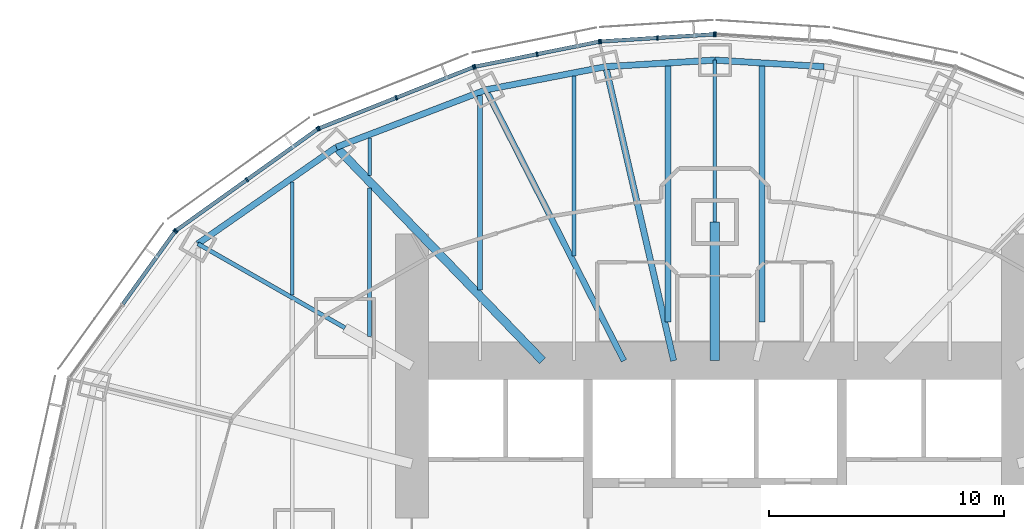
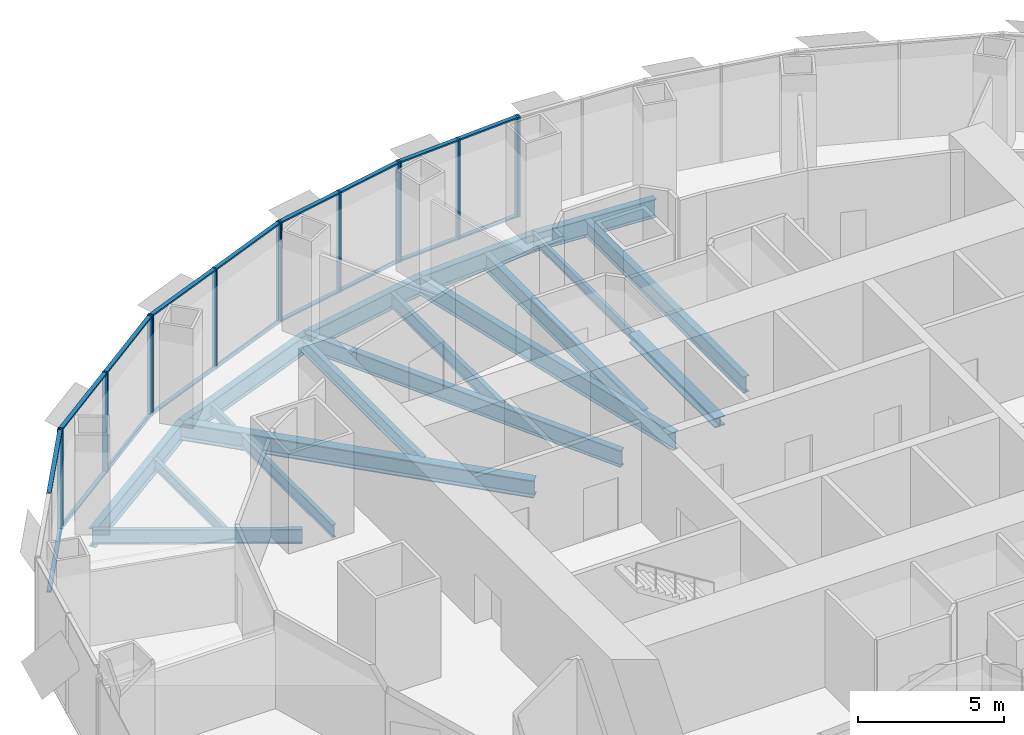
# One storey, part 7 of 18: 32 members, 18 beams, 6 elements without a shape of their own.
"""IFC4 building model written with IfcOpenShell, lengths in metres."""

from ifc_helpers import new_model, si_unit, direction, frame, origin, origin_2d, place, context, subcontext, project, spatial, rectangle, i_section, extrude, material, material_profile, profile_set, type_object, element, aggregate, save


model = new_model("IFC4")

# Units and contexts
model_context = context("Model", 3, precision=1e-05, world=origin(), true_north=direction((0.0, 1.0)))
body_context = subcontext(model_context, "Body", "Model", "MODEL_VIEW")
ifc_project = project(units=[si_unit("LENGTHUNIT", "METRE"), si_unit("AREAUNIT", "SQUARE_METRE"), si_unit("VOLUMEUNIT", "CUBIC_METRE"), si_unit("PLANEANGLEUNIT", "RADIAN"), si_unit("MASSUNIT", "GRAM", prefix="KILO")], contexts=[model_context])

# Site, building, storey
site_placement = place(None, origin())
site = spatial("IfcSite", under=ifc_project, at=site_placement, CompositionType="ELEMENT")
building_placement = place(site_placement, origin())
building = spatial("IfcBuilding", under=site, at=building_placement, Name="Lantaw Convention Tower", CompositionType="ELEMENT")
storey_placement = place(building_placement, frame((0.0, 0.0, 167.800048828125)))
storey = spatial("IfcBuildingStorey", under=building, at=storey_placement, Name="L39", CompositionType="ELEMENT", Elevation=167.800048828125)

# Beams
ifc_material_1 = material(Name="Steel ASTM A992", Category="steel")
ifc_material_profile_1 = material_profile(ifc_material_1, i_section(OverallWidth=0.2666015625, OverallDepth=0.76953125, WebThickness=0.015625, FlangeThickness=0.025390625, FilletRadius=0.0126953125, at=origin_2d()), Name="W30X132")
ifc_profile_set_1 = profile_set([ifc_material_profile_1], Name="Steel ASTM A992")
beam_type_1 = type_object("IfcBeamType", Name="Beam E W30X132", PredefinedType="SPANDREL", material=ifc_profile_set_1)
for number, where, z_axis, x_axis, name in (
    (1, (4.64501953125, 20.1201171875, -0.534912109375), (-0.998190892054, 0.06012439621, 0.0), (-0.06012439621, -0.998190892054, 0.0), "Edge beam 6"),
    (2, (0.0, 20.39990234375, -0.534912109375), (-0.998190892054, -0.06012439621, 0.0), (0.06012439621, -0.998190892054, 0.0), "Edge beam 7"),
):
    element("IfcBeam", number, at=place(storey_placement, frame(where, z_axis=z_axis, x_axis=x_axis)), inside=storey, type_object=beam_type_1, Name=name, PredefinedType="SPANDREL", context=body_context, shape_type="SweptSolid", body=[
        extrude(i_section(OverallWidth=0.2666015625, OverallDepth=0.76953125, WebThickness=0.015625, FlangeThickness=0.025390625, FilletRadius=0.0126953125, at=origin_2d()), origin(), (0.0, 0.0, 1.0), 4.6533203125),
    ])
beam_1_placement = place(storey_placement, frame((-4.64501953125, 20.1201171875, -0.534912109375), z_axis=(-0.981796805654, -0.189934284446, 0.0), x_axis=(0.189934284446, -0.981796805654, 0.0)))
element("IfcBeam", 3, at=beam_1_placement, inside=storey, type_object=beam_type_1, Name="Edge beam 8", PredefinedType="SPANDREL", context=body_context, shape_type="SweptSolid", body=[
    extrude(i_section(OverallWidth=0.2666015625, OverallDepth=0.76953125, WebThickness=0.015625, FlangeThickness=0.025390625, FilletRadius=0.0126953125, at=origin_2d()), origin(), (0.0, 0.0, 1.0), 5.1982421875),
])
beam_2_placement = place(storey_placement, frame((-9.74853515625, 19.1328125, -0.534912109375), z_axis=(-0.933691081977, -0.358079549033, 0.0), x_axis=(0.358079549033, -0.933691081977, 0.0)))
element("IfcBeam", 4, at=beam_2_placement, inside=storey, type_object=beam_type_1, Name="Edge beam 9", PredefinedType="SPANDREL", context=body_context, shape_type="SweptSolid", body=[
    extrude(i_section(OverallWidth=0.2666015625, OverallDepth=0.76953125, WebThickness=0.015625, FlangeThickness=0.025390625, FilletRadius=0.0126953125, at=origin_2d()), origin(), (0.0, 0.0, 1.0), 6.821533203125),
])
beam_3_placement = place(storey_placement, frame((-16.11767578125, 16.690185546875, -0.534912109375), z_axis=(-0.820310765287, -0.57191804339, 0.0), x_axis=(0.57191804339, -0.820310765287, 0.0)))
element("IfcBeam", 5, at=beam_3_placement, inside=storey, type_object=beam_type_1, Name="Edge beam 10", PredefinedType="SPANDREL", context=body_context, shape_type="SweptSolid", body=[
    extrude(i_section(OverallWidth=0.2666015625, OverallDepth=0.76953125, WebThickness=0.015625, FlangeThickness=0.025390625, FilletRadius=0.0126953125, at=origin_2d()), origin(), (0.0, 0.0, 1.0), 7.187744140625),
])
ifc_material_profile_2 = material_profile(ifc_material_1, i_section(OverallWidth=0.140380859375, OverallDepth=0.40380859375, WebThickness=0.007080078125, FlangeThickness=0.01123046875, FilletRadius=0.01025390625, at=origin_2d()), Name="W16X31")
ifc_profile_set_2 = profile_set([ifc_material_profile_2], Name="Steel ASTM A992")
beam_type_2 = type_object("IfcBeamType", Name="Beam G W16X31", PredefinedType="BEAM", material=ifc_profile_set_2)
beam_4_placement = place(storey_placement, frame((0.0, 13.5, -0.35205078125), z_axis=(0.0, 1.0, 0.0), x_axis=(-1.0, 0.0, 0.0)))
element("IfcBeam", 6, at=beam_4_placement, inside=storey, type_object=beam_type_2, Name="Floor girder on ray 7", PredefinedType="BEAM", context=body_context, shape_type="SweptSolid", body=[
    extrude(i_section(OverallWidth=0.140380859375, OverallDepth=0.40380859375, WebThickness=0.007080078125, FlangeThickness=0.01123046875, FilletRadius=0.01025390625, at=origin_2d()), origin(), (0.0, 0.0, 1.0), 6.89990234375),
])
ifc_material_profile_3 = material_profile(ifc_material_1, i_section(OverallWidth=0.177978515625, OverallDepth=0.599365234375, WebThickness=0.010009765625, FlangeThickness=0.012939453125, FilletRadius=0.012939453125, at=origin_2d()), Name="W24X55")
ifc_profile_set_3 = profile_set([ifc_material_profile_3], Name="Steel ASTM A992")
beam_type_3 = type_object("IfcBeamType", Name="Beam G W24X55", PredefinedType="BEAM", material=ifc_profile_set_3)
beam_5_placement = place(storey_placement, frame((-15.75, 9.0, -0.44970703125), z_axis=(-0.868245224608, 0.496135293993, 0.0), x_axis=(-0.496135293993, -0.868245224608, 0.0)))
element("IfcBeam", 7, at=beam_5_placement, inside=storey, type_object=beam_type_3, Name="Floor girder on ray 11", PredefinedType="BEAM", context=body_context, shape_type="SweptSolid", body=[
    extrude(i_section(OverallWidth=0.177978515625, OverallDepth=0.599365234375, WebThickness=0.010009765625, FlangeThickness=0.012939453125, FilletRadius=0.012939453125, at=origin_2d()), origin(), (0.0, 0.0, 1.0), 7.21435546875),
])
ifc_material_profile_4 = material_profile(ifc_material_1, i_section(OverallWidth=0.25390625, OverallDepth=0.700927734375, WebThickness=0.015380859375, FlangeThickness=0.02783203125, FilletRadius=0.01513671875, at=origin_2d()), Name="W27X129")
ifc_profile_set_4 = profile_set([ifc_material_profile_4], Name="Steel ASTM A992")
beam_type_4 = type_object("IfcBeamType", Name="Beam G W27X129", PredefinedType="BEAM", material=ifc_profile_set_4)
beam_6_placement = place(storey_placement, frame((-3.872314453125, 7.60009765625, -0.50048828125), z_axis=(-0.453991051051, 0.891006243281, 0.0), x_axis=(-0.891006243281, -0.453991051051, 0.0)))
element("IfcBeam", 8, at=beam_6_placement, inside=storey, type_object=beam_type_4, Name="Floor girder on ray 9", PredefinedType="BEAM", context=body_context, shape_type="SweptSolid", body=[
    extrude(i_section(OverallWidth=0.25390625, OverallDepth=0.700927734375, WebThickness=0.015380859375, FlangeThickness=0.02783203125, FilletRadius=0.01513671875, at=origin_2d()), origin(), (0.0, 0.0, 1.0), 12.943359375),
])
ifc_material_profile_5 = material_profile(ifc_material_1, i_section(OverallWidth=0.360595703125, OverallDepth=0.72900390625, WebThickness=0.023193359375, FlangeThickness=0.041015625, FilletRadius=0.0126953125, at=origin_2d()), Name="W27X235")
ifc_profile_set_5 = profile_set([ifc_material_profile_5], Name="Steel ASTM A992")
beam_type_5 = type_object("IfcBeamType", Name="Beam G W27X235", PredefinedType="BEAM", material=ifc_profile_set_5)
beam_7_placement = place(storey_placement, frame((-7.33935546875, 7.60009765625, -0.5146484375), z_axis=(-0.694663467407, 0.719334878239, 0.0), x_axis=(-0.719334878239, -0.694663467407, 0.0)))
element("IfcBeam", 9, at=beam_7_placement, inside=storey, type_object=beam_type_5, Name="Floor girder on ray 10", PredefinedType="BEAM", context=body_context, shape_type="SweptSolid", body=[
    extrude(i_section(OverallWidth=0.360595703125, OverallDepth=0.72900390625, WebThickness=0.023193359375, FlangeThickness=0.041015625, FilletRadius=0.0126953125, at=origin_2d()), origin(), (0.0, 0.0, 1.0), 12.63671875),
])
ifc_material_profile_6 = material_profile(ifc_material_1, i_section(OverallWidth=0.2666015625, OverallDepth=0.7568359375, WebThickness=0.013916015625, FlangeThickness=0.019287109375, FilletRadius=0.0126953125, at=origin_2d()), Name="W30X108")
ifc_profile_set_6 = profile_set([ifc_material_profile_6], Name="Steel ASTM A992")
beam_type_6 = type_object("IfcBeamType", Name="Beam G W30X108", PredefinedType="BEAM", material=ifc_profile_set_6)
beam_8_placement = place(storey_placement, frame((-1.754638671875, 7.60009765625, -0.528564453125), z_axis=(-0.224944153104, 0.974371658036, 0.0), x_axis=(-0.974371658036, -0.224944153104, 0.0)))
element("IfcBeam", 10, at=beam_8_placement, inside=storey, type_object=beam_type_6, Name="Floor girder on ray 8", PredefinedType="BEAM", context=body_context, shape_type="SweptSolid", body=[
    extrude(i_section(OverallWidth=0.2666015625, OverallDepth=0.7568359375, WebThickness=0.013916015625, FlangeThickness=0.019287109375, FilletRadius=0.0126953125, at=origin_2d()), origin(), (0.0, 0.0, 1.0), 12.849365234375),
])
ifc_material_profile_7 = material_profile(ifc_material_1, i_section(OverallWidth=0.40380859375, OverallDepth=0.406494140625, WebThickness=0.027099609375, FlangeThickness=0.043701171875, FilletRadius=0.01513671875, at=origin_2d()), Name="W14X233")
ifc_profile_set_7 = profile_set([ifc_material_profile_7], Name="Steel ASTM A992")
beam_type_7 = type_object("IfcBeamType", Name="Beam GM W14X233", PredefinedType="BEAM", material=ifc_profile_set_7)
beam_9_placement = place(storey_placement, frame((0.0, 7.60009765625, -0.353271484375), z_axis=(0.0, 1.0, 0.0), x_axis=(-1.0, 0.0, 0.0)))
element("IfcBeam", 11, at=beam_9_placement, inside=storey, type_object=beam_type_7, Name="Core link beam on ray 7", PredefinedType="BEAM", context=body_context, shape_type="SweptSolid", body=[
    extrude(i_section(OverallWidth=0.40380859375, OverallDepth=0.406494140625, WebThickness=0.027099609375, FlangeThickness=0.043701171875, FilletRadius=0.01513671875, at=origin_2d()), origin(), (0.0, 0.0, 1.0), 5.89990234375),
])
ifc_material_profile_8 = material_profile(ifc_material_1, i_section(OverallWidth=0.140380859375, OverallDepth=0.40380859375, WebThickness=0.007080078125, FlangeThickness=0.01123046875, FilletRadius=0.01025390625, at=origin_2d()), Name="W16X31")
ifc_profile_set_8 = profile_set([ifc_material_profile_8], Name="Steel ASTM A992")
beam_type_8 = type_object("IfcBeamType", Name="Beam J W16X31", PredefinedType="JOIST", material=ifc_profile_set_8)
beam_10_placement = place(storey_placement, frame((-14.699951171875, 15.48193359375, -0.35205078125), z_axis=(0.0, 1.0, 0.0), x_axis=(-1.0, 0.0, 0.0)))
element("IfcBeam", 12, at=beam_10_placement, inside=storey, type_object=beam_type_8, Name="Floor joist", PredefinedType="JOIST", context=body_context, shape_type="SweptSolid", body=[
    extrude(i_section(OverallWidth=0.140380859375, OverallDepth=0.40380859375, WebThickness=0.007080078125, FlangeThickness=0.01123046875, FilletRadius=0.01025390625, at=origin_2d()), origin(), (0.0, 0.0, 1.0), 1.609130859375),
])
ifc_material_profile_9 = material_profile(ifc_material_1, i_section(OverallWidth=0.15234375, OverallDepth=0.449462890625, WebThickness=0.007568359375, FlangeThickness=0.0107421875, FilletRadius=0.01025390625, at=origin_2d()), Name="W18X35")
ifc_profile_set_9 = profile_set([ifc_material_profile_9], Name="Steel ASTM A992")
beam_type_9 = type_object("IfcBeamType", Name="Beam J W18X35", PredefinedType="JOIST", material=ifc_profile_set_9)
beam_11_placement = place(storey_placement, frame((-18.0, 10.38818359375, -0.374755859375), z_axis=(0.0, 1.0, 0.0), x_axis=(-1.0, 0.0, 0.0)))
element("IfcBeam", 13, at=beam_11_placement, inside=storey, type_object=beam_type_9, Name="Floor joist", PredefinedType="JOIST", context=body_context, shape_type="SweptSolid", body=[
    extrude(i_section(OverallWidth=0.15234375, OverallDepth=0.449462890625, WebThickness=0.007568359375, FlangeThickness=0.0107421875, FilletRadius=0.01025390625, at=origin_2d()), origin(), (0.0, 0.0, 1.0), 4.8271484375),
])
ifc_material_profile_10 = material_profile(ifc_material_1, i_section(OverallWidth=0.1650390625, OverallDepth=0.52587890625, WebThickness=0.0087890625, FlangeThickness=0.011474609375, FilletRadius=0.0126953125, at=origin_2d()), Name="W21X44")
ifc_profile_set_10 = profile_set([ifc_material_profile_10], Name="Steel ASTM A992")
beam_type_10 = type_object("IfcBeamType", Name="Beam J W21X44", PredefinedType="JOIST", material=ifc_profile_set_10)
beam_12_placement = place(storey_placement, frame((-14.699951171875, 8.632568359375, -0.412841796875), z_axis=(0.0, 1.0, 0.0), x_axis=(-1.0, 0.0, 0.0)))
element("IfcBeam", 14, at=beam_12_placement, inside=storey, type_object=beam_type_10, Name="Floor joist", PredefinedType="JOIST", context=body_context, shape_type="SweptSolid", body=[
    extrude(i_section(OverallWidth=0.1650390625, OverallDepth=0.52587890625, WebThickness=0.0087890625, FlangeThickness=0.011474609375, FilletRadius=0.0126953125, at=origin_2d()), origin(), (0.0, 0.0, 1.0), 6.330078125),
])
ifc_material_profile_11 = material_profile(ifc_material_1, i_section(OverallWidth=0.2099609375, OverallDepth=0.535888671875, WebThickness=0.010986328125, FlangeThickness=0.017333984375, FilletRadius=0.012939453125, at=origin_2d()), Name="W21X68")
ifc_profile_set_11 = profile_set([ifc_material_profile_11], Name="Steel ASTM A992")
beam_type_11 = type_object("IfcBeamType", Name="Beam J W21X68", PredefinedType="JOIST", material=ifc_profile_set_11)
beam_13_placement = place(storey_placement, frame((-10.0, 10.614990234375, -0.41796875), z_axis=(0.0, 1.0, 0.0), x_axis=(-1.0, 0.0, 0.0)))
element("IfcBeam", 15, at=beam_13_placement, inside=storey, type_object=beam_type_11, Name="Floor joist", PredefinedType="JOIST", context=body_context, shape_type="SweptSolid", body=[
    extrude(i_section(OverallWidth=0.2099609375, OverallDepth=0.535888671875, WebThickness=0.010986328125, FlangeThickness=0.017333984375, FilletRadius=0.012939453125, at=origin_2d()), origin(), (0.0, 0.0, 1.0), 8.278564453125),
])
ifc_material_profile_12 = material_profile(ifc_material_1, i_section(OverallWidth=0.177978515625, OverallDepth=0.599365234375, WebThickness=0.010009765625, FlangeThickness=0.012939453125, FilletRadius=0.012939453125, at=origin_2d()), Name="W24X55")
ifc_profile_set_12 = profile_set([ifc_material_profile_12], Name="Steel ASTM A992")
beam_type_12 = type_object("IfcBeamType", Name="Beam J W24X55", PredefinedType="JOIST", material=ifc_profile_set_12)
beam_14_placement = place(storey_placement, frame((-6.0, 12.055419921875, -0.44970703125), z_axis=(0.0, 1.0, 0.0), x_axis=(-1.0, 0.0, 0.0)))
element("IfcBeam", 16, at=beam_14_placement, inside=storey, type_object=beam_type_12, Name="Floor joist", PredefinedType="JOIST", context=body_context, shape_type="SweptSolid", body=[
    extrude(i_section(OverallWidth=0.177978515625, OverallDepth=0.599365234375, WebThickness=0.010009765625, FlangeThickness=0.012939453125, FilletRadius=0.012939453125, at=origin_2d()), origin(), (0.0, 0.0, 1.0), 7.666748046875),
])
ifc_material_profile_13 = material_profile(ifc_material_1, i_section(OverallWidth=0.25390625, OverallDepth=0.683349609375, WebThickness=0.012451171875, FlangeThickness=0.01904296875, FilletRadius=0.01513671875, at=origin_2d()), Name="W27X94")
ifc_profile_set_13 = profile_set([ifc_material_profile_13], Name="Steel ASTM A992")
beam_type_13 = type_object("IfcBeamType", Name="Beam J W27X94", PredefinedType="JOIST", material=ifc_profile_set_13)
for number, where, z_axis, x_axis, name in (
    (17, (-2.0, 9.255859375, -0.49169921875), (0.0, 1.0, 0.0), (-1.0, 0.0, 0.0), "Floor joist"),
    (18, (2.0, 9.255859375, -0.49169921875), (0.0, 1.0, 0.0), (-1.0, 0.0, 0.0), "Floor joist"),
):
    element("IfcBeam", number, at=place(storey_placement, frame(where, z_axis=z_axis, x_axis=x_axis)), inside=storey, type_object=beam_type_13, Name=name, PredefinedType="JOIST", context=body_context, shape_type="SweptSolid", body=[
        extrude(i_section(OverallWidth=0.25390625, OverallDepth=0.683349609375, WebThickness=0.012451171875, FlangeThickness=0.01904296875, FilletRadius=0.01513671875, at=origin_2d()), origin(), (0.0, 0.0, 1.0), 10.889892578125),
    ])

# Curtain wall, member
ifc_material_2 = material(Name="Aluminium framed curtain wall", Category="aluminium")
curtain_wall_type = type_object("IfcCurtainWallType", Name="Office curtain wall low rise, pale aluminium", PredefinedType="USERDEFINED", material=ifc_material_2)
curtain_wall_1_placement = place(storey_placement, origin())
curtain_wall_1 = element("IfcCurtainWall", 19, at=curtain_wall_1_placement, inside=storey, type_object=curtain_wall_type, Name="Office curtain wall low rise, pale aluminium L39", ObjectType="UNITISED CURTAIN WALL", PredefinedType="USERDEFINED")
ifc_material_3 = material(Name="Aluminium 6063-T6", Category="aluminium")
ifc_material_profile_14 = material_profile(ifc_material_3, rectangle(XDim=0.199951171875, YDim=0.06494140625, at=origin_2d()), Name="CW-O1 mullion 65x200")
ifc_profile_set_14 = profile_set([ifc_material_profile_14], Name="Aluminium 6063-T6")
member_type_1 = type_object("IfcMemberType", Name="CW-O1 mullion 65x200", PredefinedType="MULLION", material=ifc_profile_set_14)
member_1_placement = place(storey_placement, frame((0.032470703125, 21.498046875, -0.150146484375), z_axis=(0.0, 0.0, 1.0), x_axis=(-0.062865059466, -0.998022035978, 0.0)))
member_1 = element("IfcMember", 20, at=member_1_placement, type_object=member_type_1, Name="CW-O1 mullion 3", PredefinedType="MULLION", context=body_context, shape_type="SweptSolid", body=[
    extrude(rectangle(XDim=0.199951171875, YDim=0.06494140625, at=origin_2d()), origin(), (0.0, 0.0, 1.0), 4.2001953125),
])
aggregate(curtain_wall_1, [member_1])

# Curtain wall, members
curtain_wall_2_placement = place(storey_placement, origin())
curtain_wall_2 = element("IfcCurtainWall", 21, at=curtain_wall_2_placement, inside=storey, type_object=curtain_wall_type, Name="Office curtain wall low rise, pale aluminium L39", ObjectType="UNITISED CURTAIN WALL", PredefinedType="USERDEFINED")
member_2_placement = place(storey_placement, frame((-0.032470703125, 21.498046875, -0.150146484375), z_axis=(0.0, 0.0, 1.0), x_axis=(0.062865059466, -0.998022035978, 0.0)))
member_2 = element("IfcMember", 22, at=member_2_placement, type_object=member_type_1, Name="CW-O1 mullion 1", PredefinedType="MULLION", context=body_context, shape_type="SweptSolid", body=[
    extrude(rectangle(XDim=0.199951171875, YDim=0.06494140625, at=origin_2d()), origin(), (0.0, 0.0, 1.0), 4.2001953125),
])
member_3_placement = place(storey_placement, frame((-2.4462890625, 21.345947265625, -0.150146484375), z_axis=(0.0, 0.0, 1.0), x_axis=(0.062865059466, -0.998022035978, 0.0)))
member_3 = element("IfcMember", 23, at=member_3_placement, type_object=member_type_1, Name="CW-O1 mullion 2", PredefinedType="MULLION", context=body_context, shape_type="SweptSolid", body=[
    extrude(rectangle(XDim=0.199951171875, YDim=0.06494140625, at=origin_2d()), origin(), (0.0, 0.0, 1.0), 4.2001953125),
])
member_4_placement = place(storey_placement, frame((-4.860107421875, 21.19384765625, -0.150146484375), z_axis=(0.0, 0.0, 1.0), x_axis=(0.062865059466, -0.998022035978, 0.0)))
member_4 = element("IfcMember", 24, at=member_4_placement, type_object=member_type_1, Name="CW-O1 mullion 3", PredefinedType="MULLION", context=body_context, shape_type="SweptSolid", body=[
    extrude(rectangle(XDim=0.199951171875, YDim=0.06494140625, at=origin_2d()), origin(), (0.0, 0.0, 1.0), 4.2001953125),
])

curtain_wall_3_placement = place(storey_placement, origin())
curtain_wall_3 = element("IfcCurtainWall", 25, at=curtain_wall_3_placement, inside=storey, type_object=curtain_wall_type, Name="Office curtain wall low rise, pale aluminium L39", ObjectType="UNITISED CURTAIN WALL", PredefinedType="USERDEFINED")
member_5_placement = place(storey_placement, frame((-4.92431640625, 21.185302734375, -0.150146484375), z_axis=(0.0, 0.0, 1.0), x_axis=(0.197506809659, -0.980301514912, 0.0)))
member_5 = element("IfcMember", 26, at=member_5_placement, type_object=member_type_1, Name="CW-O1 mullion 1", PredefinedType="MULLION", context=body_context, shape_type="SweptSolid", body=[
    extrude(rectangle(XDim=0.199951171875, YDim=0.06494140625, at=origin_2d()), origin(), (0.0, 0.0, 1.0), 4.2001953125),
])
member_6_placement = place(storey_placement, frame((-7.5703125, 20.65234375, -0.150146484375), z_axis=(0.0, 0.0, 1.0), x_axis=(0.197506809659, -0.980301514912, 0.0)))
member_6 = element("IfcMember", 27, at=member_6_placement, type_object=member_type_1, Name="CW-O1 mullion 2", PredefinedType="MULLION", context=body_context, shape_type="SweptSolid", body=[
    extrude(rectangle(XDim=0.199951171875, YDim=0.06494140625, at=origin_2d()), origin(), (0.0, 0.0, 1.0), 4.2001953125),
])
member_7_placement = place(storey_placement, frame((-10.216064453125, 20.119140625, -0.150146484375), z_axis=(0.0, 0.0, 1.0), x_axis=(0.197506809659, -0.980301514912, 0.0)))
member_7 = element("IfcMember", 28, at=member_7_placement, type_object=member_type_1, Name="CW-O1 mullion 3", PredefinedType="MULLION", context=body_context, shape_type="SweptSolid", body=[
    extrude(rectangle(XDim=0.199951171875, YDim=0.06494140625, at=origin_2d()), origin(), (0.0, 0.0, 1.0), 4.2001953125),
])

curtain_wall_4_placement = place(storey_placement, origin())
curtain_wall_4 = element("IfcCurtainWall", 29, at=curtain_wall_4_placement, inside=storey, type_object=curtain_wall_type, Name="Office curtain wall low rise, pale aluminium L39", ObjectType="UNITISED CURTAIN WALL", PredefinedType="USERDEFINED")
member_8_placement = place(storey_placement, frame((-10.2783203125, 20.100830078125, -0.150146484375), z_axis=(0.0, 0.0, 1.0), x_axis=(0.368701907483, -0.929547687544, 0.0)))
member_8 = element("IfcMember", 30, at=member_8_placement, type_object=member_type_1, Name="CW-O1 mullion 1", PredefinedType="MULLION", context=body_context, shape_type="SweptSolid", body=[
    extrude(rectangle(XDim=0.199951171875, YDim=0.06494140625, at=origin_2d()), origin(), (0.0, 0.0, 1.0), 4.2001953125),
])
member_9_placement = place(storey_placement, frame((-13.56494140625, 18.797119140625, -0.150146484375), z_axis=(0.0, 0.0, 1.0), x_axis=(0.368701907483, -0.929547687544, 0.0)))
member_9 = element("IfcMember", 31, at=member_9_placement, type_object=member_type_1, Name="CW-O1 mullion 2", PredefinedType="MULLION", context=body_context, shape_type="SweptSolid", body=[
    extrude(rectangle(XDim=0.199951171875, YDim=0.06494140625, at=origin_2d()), origin(), (0.0, 0.0, 1.0), 4.2001953125),
])
member_10_placement = place(storey_placement, frame((-16.8515625, 17.49365234375, -0.150146484375), z_axis=(0.0, 0.0, 1.0), x_axis=(0.368701907483, -0.929547687544, 0.0)))
member_10 = element("IfcMember", 32, at=member_10_placement, type_object=member_type_1, Name="CW-O1 mullion 3", PredefinedType="MULLION", context=body_context, shape_type="SweptSolid", body=[
    extrude(rectangle(XDim=0.199951171875, YDim=0.06494140625, at=origin_2d()), origin(), (0.0, 0.0, 1.0), 4.2001953125),
])

curtain_wall_5_placement = place(storey_placement, origin())
curtain_wall_5 = element("IfcCurtainWall", 33, at=curtain_wall_5_placement, inside=storey, type_object=curtain_wall_type, Name="Office curtain wall low rise, pale aluminium L39", ObjectType="UNITISED CURTAIN WALL", PredefinedType="USERDEFINED")
member_11_placement = place(storey_placement, frame((-16.908203125, 17.462646484375, -0.150146484375), z_axis=(0.0, 0.0, 1.0), x_axis=(0.581972695693, -0.813208325995, 0.0)))
member_11 = element("IfcMember", 34, at=member_11_placement, type_object=member_type_1, Name="CW-O1 mullion 1", PredefinedType="MULLION", context=body_context, shape_type="SweptSolid", body=[
    extrude(rectangle(XDim=0.199951171875, YDim=0.06494140625, at=origin_2d()), origin(), (0.0, 0.0, 1.0), 4.2001953125),
])
member_12_placement = place(storey_placement, frame((-19.92529296875, 15.303466796875, -0.150146484375), z_axis=(0.0, 0.0, 1.0), x_axis=(0.581972695693, -0.813208325995, 0.0)))
member_12 = element("IfcMember", 35, at=member_12_placement, type_object=member_type_1, Name="CW-O1 mullion 2", PredefinedType="MULLION", context=body_context, shape_type="SweptSolid", body=[
    extrude(rectangle(XDim=0.199951171875, YDim=0.06494140625, at=origin_2d()), origin(), (0.0, 0.0, 1.0), 4.2001953125),
])
member_13_placement = place(storey_placement, frame((-22.942626953125, 13.14404296875, -0.150146484375), z_axis=(0.0, 0.0, 1.0), x_axis=(0.581972695693, -0.813208325995, 0.0)))
member_13 = element("IfcMember", 36, at=member_13_placement, type_object=member_type_1, Name="CW-O1 mullion 3", PredefinedType="MULLION", context=body_context, shape_type="SweptSolid", body=[
    extrude(rectangle(XDim=0.199951171875, YDim=0.06494140625, at=origin_2d()), origin(), (0.0, 0.0, 1.0), 4.2001953125),
])

# Curtain wall, member
curtain_wall_6_placement = place(storey_placement, origin())
curtain_wall_6 = element("IfcCurtainWall", 37, at=curtain_wall_6_placement, inside=storey, type_object=curtain_wall_type, Name="Office curtain wall low rise, pale aluminium L39", ObjectType="UNITISED CURTAIN WALL", PredefinedType="USERDEFINED")
member_14_placement = place(storey_placement, frame((-22.988037109375, 13.098876953125, -0.150146484375), z_axis=(0.0, 0.0, 1.0), x_axis=(0.811384633629, -0.584512597221, 0.0)))
member_14 = element("IfcMember", 38, at=member_14_placement, type_object=member_type_1, Name="CW-O1 mullion 1", PredefinedType="MULLION", context=body_context, shape_type="SweptSolid", body=[
    extrude(rectangle(XDim=0.199951171875, YDim=0.06494140625, at=origin_2d()), origin(), (0.0, 0.0, 1.0), 4.2001953125),
])

# Member
ifc_material_profile_15 = material_profile(ifc_material_3, rectangle(XDim=0.159912109375, YDim=0.06494140625, at=origin_2d()), Name="CW-O1 transom 65x160")
ifc_profile_set_15 = profile_set([ifc_material_profile_15], Name="Aluminium 6063-T6")
member_type_2 = type_object("IfcMemberType", Name="CW-O1 transom 65x160", PredefinedType="USERDEFINED", material=ifc_profile_set_15)
member_15_placement = place(storey_placement, frame((-0.06494140625, 21.495849609375, -0.117431640625), z_axis=(-0.998022188463, -0.062862638625, 0.0), x_axis=(0.062862638625, -0.998022188463, 0.0)))
member_15 = element("IfcMember", 39, at=member_15_placement, type_object=member_type_2, Name="CW-O1 transom 1.1", ObjectType="TRANSOM", PredefinedType="USERDEFINED", context=body_context, shape_type="SweptSolid", body=[
    extrude(rectangle(XDim=0.159912109375, YDim=0.06494140625, at=origin_2d()), origin(), (0.0, 0.0, 1.0), 2.353515625),
])

member_16_placement = place(storey_placement, frame((-0.06494140625, 21.495849609375, 4.017333984375), z_axis=(-0.998022188463, -0.062862638625, 0.0), x_axis=(0.062862638625, -0.998022188463, 0.0)))
member_16 = element("IfcMember", 40, at=member_16_placement, type_object=member_type_2, Name="CW-O1 transom 1.2", ObjectType="TRANSOM", PredefinedType="USERDEFINED", context=body_context, shape_type="SweptSolid", body=[
    extrude(rectangle(XDim=0.159912109375, YDim=0.06494140625, at=origin_2d()), origin(), (0.0, 0.0, 1.0), 2.353515625),
])

member_17_placement = place(storey_placement, frame((-2.478759765625, 21.34375, -0.117431640625), z_axis=(-0.998022188463, -0.062862638625, 0.0), x_axis=(0.062862638625, -0.998022188463, 0.0)))
member_17 = element("IfcMember", 41, at=member_17_placement, type_object=member_type_2, Name="CW-O1 transom 2.1", ObjectType="TRANSOM", PredefinedType="USERDEFINED", context=body_context, shape_type="SweptSolid", body=[
    extrude(rectangle(XDim=0.159912109375, YDim=0.06494140625, at=origin_2d()), origin(), (0.0, 0.0, 1.0), 2.353515625),
])

member_18_placement = place(storey_placement, frame((-2.478759765625, 21.34375, 4.017333984375), z_axis=(-0.998022188463, -0.062862638625, 0.0), x_axis=(0.062862638625, -0.998022188463, 0.0)))
member_18 = element("IfcMember", 42, at=member_18_placement, type_object=member_type_2, Name="CW-O1 transom 2.2", ObjectType="TRANSOM", PredefinedType="USERDEFINED", context=body_context, shape_type="SweptSolid", body=[
    extrude(rectangle(XDim=0.159912109375, YDim=0.06494140625, at=origin_2d()), origin(), (0.0, 0.0, 1.0), 2.353515625),
])

aggregate(curtain_wall_2, [member_2, member_3, member_4, member_15, member_16, member_17, member_18])

member_19_placement = place(storey_placement, frame((-4.956298828125, 21.178955078125, -0.117431640625), z_axis=(-0.980298027092, -0.197524120247, 0.0), x_axis=(0.197524120247, -0.980298027092, 0.0)))
member_19 = element("IfcMember", 43, at=member_19_placement, type_object=member_type_2, Name="CW-O1 transom 1.1", ObjectType="TRANSOM", PredefinedType="USERDEFINED", context=body_context, shape_type="SweptSolid", body=[
    extrude(rectangle(XDim=0.159912109375, YDim=0.06494140625, at=origin_2d()), origin(), (0.0, 0.0, 1.0), 2.634033203125),
])

member_20_placement = place(storey_placement, frame((-4.956298828125, 21.178955078125, 4.017333984375), z_axis=(-0.980298027092, -0.197524120247, 0.0), x_axis=(0.197524120247, -0.980298027092, 0.0)))
member_20 = element("IfcMember", 44, at=member_20_placement, type_object=member_type_2, Name="CW-O1 transom 1.2", ObjectType="TRANSOM", PredefinedType="USERDEFINED", context=body_context, shape_type="SweptSolid", body=[
    extrude(rectangle(XDim=0.159912109375, YDim=0.06494140625, at=origin_2d()), origin(), (0.0, 0.0, 1.0), 2.634033203125),
])

member_21_placement = place(storey_placement, frame((-7.60205078125, 20.64599609375, -0.117431640625), z_axis=(-0.980301643003, -0.197506173891, 0.0), x_axis=(0.197506173891, -0.980301643003, 0.0)))
member_21 = element("IfcMember", 45, at=member_21_placement, type_object=member_type_2, Name="CW-O1 transom 2.1", ObjectType="TRANSOM", PredefinedType="USERDEFINED", context=body_context, shape_type="SweptSolid", body=[
    extrude(rectangle(XDim=0.159912109375, YDim=0.06494140625, at=origin_2d()), origin(), (0.0, 0.0, 1.0), 2.63427734375),
])

member_22_placement = place(storey_placement, frame((-7.60205078125, 20.64599609375, 4.017333984375), z_axis=(-0.980301643003, -0.197506173891, 0.0), x_axis=(0.197506173891, -0.980301643003, 0.0)))
member_22 = element("IfcMember", 46, at=member_22_placement, type_object=member_type_2, Name="CW-O1 transom 2.2", ObjectType="TRANSOM", PredefinedType="USERDEFINED", context=body_context, shape_type="SweptSolid", body=[
    extrude(rectangle(XDim=0.159912109375, YDim=0.06494140625, at=origin_2d()), origin(), (0.0, 0.0, 1.0), 2.63427734375),
])

aggregate(curtain_wall_3, [member_5, member_6, member_7, member_19, member_20, member_21, member_22])

member_23_placement = place(storey_placement, frame((-10.308349609375, 20.0888671875, -0.117431640625), z_axis=(-0.929540081544, -0.368721082668, 0.0), x_axis=(0.368721082668, -0.929540081544, 0.0)))
member_23 = element("IfcMember", 47, at=member_23_placement, type_object=member_type_2, Name="CW-O1 transom 1.1", ObjectType="TRANSOM", PredefinedType="USERDEFINED", context=body_context, shape_type="SweptSolid", body=[
    extrude(rectangle(XDim=0.159912109375, YDim=0.06494140625, at=origin_2d()), origin(), (0.0, 0.0, 1.0), 3.470947265625),
])

member_24_placement = place(storey_placement, frame((-10.308349609375, 20.0888671875, 4.017333984375), z_axis=(-0.929540081544, -0.368721082668, 0.0), x_axis=(0.368721082668, -0.929540081544, 0.0)))
member_24 = element("IfcMember", 48, at=member_24_placement, type_object=member_type_2, Name="CW-O1 transom 1.2", ObjectType="TRANSOM", PredefinedType="USERDEFINED", context=body_context, shape_type="SweptSolid", body=[
    extrude(rectangle(XDim=0.159912109375, YDim=0.06494140625, at=origin_2d()), origin(), (0.0, 0.0, 1.0), 3.470947265625),
])

member_25_placement = place(storey_placement, frame((-13.594970703125, 18.78515625, -0.117431640625), z_axis=(-0.929564188507, -0.368660303592, 0.0), x_axis=(0.368660303592, -0.929564188507, 0.0)))
member_25 = element("IfcMember", 49, at=member_25_placement, type_object=member_type_2, Name="CW-O1 transom 2.1", ObjectType="TRANSOM", PredefinedType="USERDEFINED", context=body_context, shape_type="SweptSolid", body=[
    extrude(rectangle(XDim=0.159912109375, YDim=0.06494140625, at=origin_2d()), origin(), (0.0, 0.0, 1.0), 3.470703125),
])

member_26_placement = place(storey_placement, frame((-13.594970703125, 18.78515625, 4.017333984375), z_axis=(-0.929564188507, -0.368660303592, 0.0), x_axis=(0.368660303592, -0.929564188507, 0.0)))
member_26 = element("IfcMember", 50, at=member_26_placement, type_object=member_type_2, Name="CW-O1 transom 2.2", ObjectType="TRANSOM", PredefinedType="USERDEFINED", context=body_context, shape_type="SweptSolid", body=[
    extrude(rectangle(XDim=0.159912109375, YDim=0.06494140625, at=origin_2d()), origin(), (0.0, 0.0, 1.0), 3.470703125),
])

aggregate(curtain_wall_4, [member_8, member_9, member_10, member_23, member_24, member_25, member_26])

member_27_placement = place(storey_placement, frame((-16.9345703125, 17.44384765625, -0.117431640625), z_axis=(-0.813190089133, -0.581998177777, 0.0), x_axis=(0.581998177777, -0.813190089133, 0.0)))
member_27 = element("IfcMember", 51, at=member_27_placement, type_object=member_type_2, Name="CW-O1 transom 1.1", ObjectType="TRANSOM", PredefinedType="USERDEFINED", context=body_context, shape_type="SweptSolid", body=[
    extrude(rectangle(XDim=0.159912109375, YDim=0.06494140625, at=origin_2d()), origin(), (0.0, 0.0, 1.0), 3.645263671875),
])

member_28_placement = place(storey_placement, frame((-16.9345703125, 17.44384765625, 4.017333984375), z_axis=(-0.813190089133, -0.581998177777, 0.0), x_axis=(0.581998177777, -0.813190089133, 0.0)))
member_28 = element("IfcMember", 52, at=member_28_placement, type_object=member_type_2, Name="CW-O1 transom 1.2", ObjectType="TRANSOM", PredefinedType="USERDEFINED", context=body_context, shape_type="SweptSolid", body=[
    extrude(rectangle(XDim=0.159912109375, YDim=0.06494140625, at=origin_2d()), origin(), (0.0, 0.0, 1.0), 3.645263671875),
])

member_29_placement = place(storey_placement, frame((-19.951904296875, 15.284423828125, -0.117431640625), z_axis=(-0.813221785972, -0.581953887194, 0.0), x_axis=(0.581953887194, -0.813221785972, 0.0)))
member_29 = element("IfcMember", 53, at=member_29_placement, type_object=member_type_2, Name="CW-O1 transom 2.1", ObjectType="TRANSOM", PredefinedType="USERDEFINED", context=body_context, shape_type="SweptSolid", body=[
    extrude(rectangle(XDim=0.159912109375, YDim=0.06494140625, at=origin_2d()), origin(), (0.0, 0.0, 1.0), 3.645263671875),
])

member_30_placement = place(storey_placement, frame((-19.951904296875, 15.284423828125, 4.017333984375), z_axis=(-0.813221785972, -0.581953887194, 0.0), x_axis=(0.581953887194, -0.813221785972, 0.0)))
member_30 = element("IfcMember", 54, at=member_30_placement, type_object=member_type_2, Name="CW-O1 transom 2.2", ObjectType="TRANSOM", PredefinedType="USERDEFINED", context=body_context, shape_type="SweptSolid", body=[
    extrude(rectangle(XDim=0.159912109375, YDim=0.06494140625, at=origin_2d()), origin(), (0.0, 0.0, 1.0), 3.645263671875),
])

aggregate(curtain_wall_5, [member_11, member_12, member_13, member_27, member_28, member_29, member_30])

member_31_placement = place(storey_placement, frame((-23.007080078125, 13.072509765625, -0.117431640625), z_axis=(-0.584512973979, -0.811384362217, 0.0), x_axis=(0.811384362217, -0.584512973979, 0.0)))
member_31 = element("IfcMember", 55, at=member_31_placement, type_object=member_type_2, Name="CW-O1 transom 1.1", ObjectType="TRANSOM", PredefinedType="USERDEFINED", context=body_context, shape_type="SweptSolid", body=[
    extrude(rectangle(XDim=0.159912109375, YDim=0.06494140625, at=origin_2d()), origin(), (0.0, 0.0, 1.0), 3.767578125),
])

member_32_placement = place(storey_placement, frame((-23.007080078125, 13.072509765625, 4.017333984375), z_axis=(-0.584512973979, -0.811384362217, 0.0), x_axis=(0.811384362217, -0.584512973979, 0.0)))
member_32 = element("IfcMember", 56, at=member_32_placement, type_object=member_type_2, Name="CW-O1 transom 1.2", ObjectType="TRANSOM", PredefinedType="USERDEFINED", context=body_context, shape_type="SweptSolid", body=[
    extrude(rectangle(XDim=0.159912109375, YDim=0.06494140625, at=origin_2d()), origin(), (0.0, 0.0, 1.0), 3.767578125),
])

aggregate(curtain_wall_6, [member_14, member_31, member_32])

save(model, "model.ifc")
